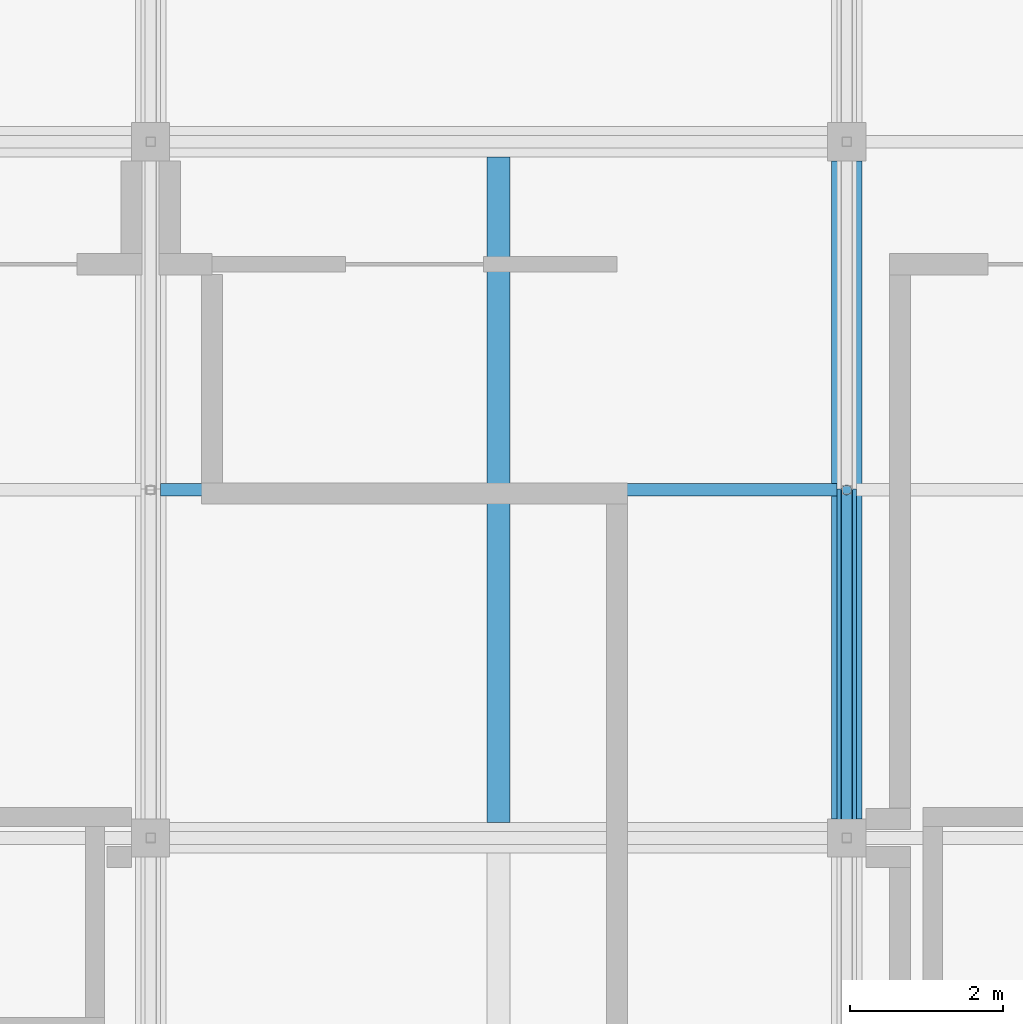
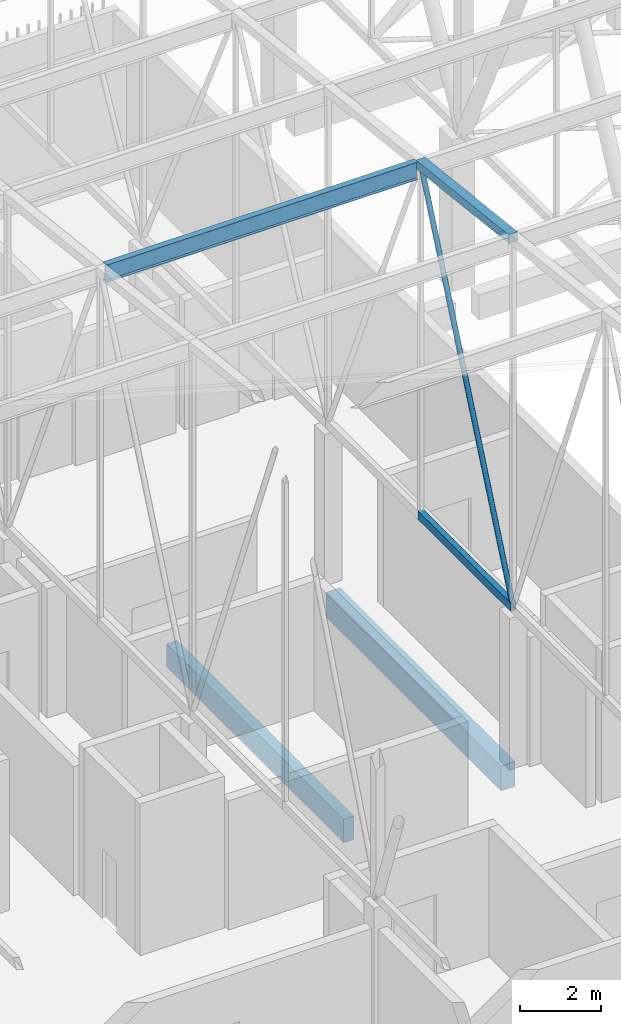
# One storey, part 213 of 500: 4 members, 2 beams.
"""IFC4 building model written with IfcOpenShell, lengths in metres."""

from ifc_helpers import new_model, si_unit, direction, frame, origin, origin_2d, place, context, subcontext, project, spatial, rectangle, hollow_rectangle, hollow_circle, i_section, extrude, material, material_profile, profile_set, type_object, element, save


model = new_model("IFC4")

# Units and contexts
model_context = context("Model", 3, precision=1e-05, world=origin(), true_north=direction((0.0, 1.0)))
body_context = subcontext(model_context, "Body", "Model", "MODEL_VIEW")
ifc_project = project(units=[si_unit("LENGTHUNIT", "METRE"), si_unit("AREAUNIT", "SQUARE_METRE"), si_unit("VOLUMEUNIT", "CUBIC_METRE"), si_unit("PLANEANGLEUNIT", "RADIAN"), si_unit("MASSUNIT", "GRAM", prefix="KILO")], contexts=[model_context])

# Site, building, storey
site_placement = place(None, origin())
site = spatial("IfcSite", under=ifc_project, at=site_placement, CompositionType="ELEMENT")
building_placement = place(site_placement, origin())
building = spatial("IfcBuilding", under=site, at=building_placement, Name="Shirokan Park Arena", CompositionType="ELEMENT")
storey_placement = place(building_placement, frame((0.0, 0.0, 29.1201171875)))
storey = spatial("IfcBuildingStorey", under=building, at=storey_placement, Name="L06", CompositionType="ELEMENT", Elevation=29.1201171875)

# Members
ifc_material_1 = material(Name="Steel ASTM A500 Grade C", Category="steel")
ifc_material_profile_1 = material_profile(ifc_material_1, hollow_rectangle(XDim=0.152099609375, YDim=0.25390625, WallThickness=0.009521484375, at=origin_2d()), Name="HSS254X152.4X9.5")
ifc_profile_set_1 = profile_set([ifc_material_profile_1], Name="Steel ASTM A500 Grade C")
member_type_1 = type_object("IfcMemberType", Name="Bottom chord HSS254X152.4X9.5", PredefinedType="CHORD", material=ifc_profile_set_1)
member_1_placement = place(storey_placement, frame((36.39990234375, 81.89990234375, 4.677001953125), z_axis=(0.0, 1.0, 0.0), x_axis=(-1.0, 0.0, 0.0)))
element("IfcMember", 1, at=member_1_placement, inside=storey, type_object=member_type_1, Name="Truss T05 bottom chord 21", PredefinedType="CHORD", context=body_context, shape_type="SweptSolid", body=[
    extrude(hollow_rectangle(XDim=0.152099609375, YDim=0.25390625, WallThickness=0.009521484375, at=origin_2d()), origin(), (0.0, 0.0, 1.0), 4.550048828125),
])
ifc_material_2 = material(Name="Steel ASTM A992", Category="steel")
ifc_material_profile_2 = material_profile(ifc_material_2, i_section(OverallWidth=0.166015625, OverallDepth=0.528076171875, WebThickness=0.009765625, FlangeThickness=0.013671875, at=origin_2d()), Name="W530X74")
ifc_profile_set_2 = profile_set([ifc_material_profile_2], Name="Steel ASTM A992")
member_type_2 = type_object("IfcMemberType", Name="Purlin W530X74", PredefinedType="PURLIN", material=ifc_profile_set_2)
member_2_placement = place(storey_placement, frame((27.427001953125, 86.449951171875, 15.0859375), z_axis=(1.0, 0.0, 0.0), x_axis=(0.0, 1.0, 0.0)))
element("IfcMember", 2, at=member_2_placement, inside=storey, type_object=member_type_2, Name="Purlin 22 bay 4", PredefinedType="PURLIN", context=body_context, shape_type="SweptSolid", body=[
    extrude(i_section(OverallWidth=0.166015625, OverallDepth=0.528076171875, WebThickness=0.009765625, FlangeThickness=0.013671875, at=origin_2d()), origin(), (0.0, 0.0, 1.0), 8.845947265625),
])

# Beams
ifc_material_3 = material(Name="Concrete C35", Category="concrete")
ifc_material_profile_3 = material_profile(ifc_material_3, rectangle(XDim=0.39990234375, YDim=0.75, at=origin_2d()), Name="400x750")
ifc_profile_set_3 = profile_set([ifc_material_profile_3], Name="Concrete C35")
beam_type_1 = type_object("IfcBeamType", Name="RC girder 400x750", PredefinedType="BEAM", material=ifc_profile_set_3)
beam_1_placement = place(storey_placement, frame((36.39990234375, 82.150146484375, -0.5751953125), z_axis=(0.0, 1.0, 0.0), x_axis=(-1.0, 0.0, 0.0)))
element("IfcBeam", 3, at=beam_1_placement, inside=storey, type_object=beam_type_1, Name="Girder 5K-5L L06", PredefinedType="BEAM", context=body_context, shape_type="SweptSolid", body=[
    extrude(rectangle(XDim=0.39990234375, YDim=0.75, at=origin_2d()), origin(), (0.0, 0.0, 1.0), 8.599853515625),
])
ifc_material_profile_4 = material_profile(ifc_material_3, rectangle(XDim=0.300048828125, YDim=0.699951171875, at=origin_2d()), Name="300x700")
ifc_profile_set_4 = profile_set([ifc_material_profile_4], Name="Concrete C35")
beam_type_2 = type_object("IfcBeamType", Name="RC joist 300x700", PredefinedType="JOIST", material=ifc_profile_set_4)
beam_2_placement = place(storey_placement, frame((31.85009765625, 82.10009765625, -0.550048828125), z_axis=(0.0, 1.0, 0.0), x_axis=(-1.0, 0.0, 0.0)))
element("IfcBeam", 4, at=beam_2_placement, inside=storey, type_object=beam_type_2, Name="Joist 5K L06", PredefinedType="JOIST", context=body_context, shape_type="SweptSolid", body=[
    extrude(rectangle(XDim=0.300048828125, YDim=0.699951171875, at=origin_2d()), origin(), (0.0, 0.0, 1.0), 8.699951171875),
])

# Members
ifc_material_profile_5 = material_profile(ifc_material_1, hollow_rectangle(XDim=0.25390625, YDim=0.25390625, WallThickness=0.009521484375, at=origin_2d()), Name="HSS254X254X9.5")
ifc_profile_set_5 = profile_set([ifc_material_profile_5], Name="Steel ASTM A500 Grade C")
member_type_3 = type_object("IfcMemberType", Name="Top chord HSS254X254X9.5", PredefinedType="CHORD", material=ifc_profile_set_5)
member_3_placement = place(storey_placement, frame((36.39990234375, 81.89990234375, 15.742919921875), z_axis=(0.0, 0.993532328996, -0.113549598152), x_axis=(-1.0, 0.0, 0.0)))
element("IfcMember", 5, at=member_3_placement, inside=storey, type_object=member_type_3, Name="Truss T05 top chord 21", PredefinedType="CHORD", context=body_context, shape_type="SweptSolid", body=[
    extrude(hollow_rectangle(XDim=0.25390625, YDim=0.25390625, WallThickness=0.009521484375, at=origin_2d()), origin(), (0.0, 0.0, 1.0), 4.57958984375),
])
ifc_material_profile_6 = material_profile(ifc_material_1, hollow_circle(Radius=0.070556640625, WallThickness=0.006591796875, at=origin_2d()), Name="HSS141.3X6.6")
ifc_profile_set_6 = profile_set([ifc_material_profile_6], Name="Steel ASTM A500 Grade C")
member_type_4 = type_object("IfcMemberType", Name="Truss diagonal HSS141.3X6.6", PredefinedType="BRACE", material=ifc_profile_set_6)
member_4_placement = place(storey_placement, frame((36.39990234375, 81.89990234375, 4.677001953125), z_axis=(0.0, 0.396152605513, 0.918184683572), x_axis=(-1.0, 0.0, 0.0)))
element("IfcMember", 6, at=member_4_placement, inside=storey, type_object=member_type_4, Name="Truss T05 diagonal 21", PredefinedType="BRACE", context=body_context, shape_type="SweptSolid", body=[
    extrude(hollow_circle(Radius=0.070556640625, WallThickness=0.006591796875, at=origin_2d()), origin(), (0.0, 0.0, 1.0), 11.485595703125),
])

save(model, "model.ifc")
